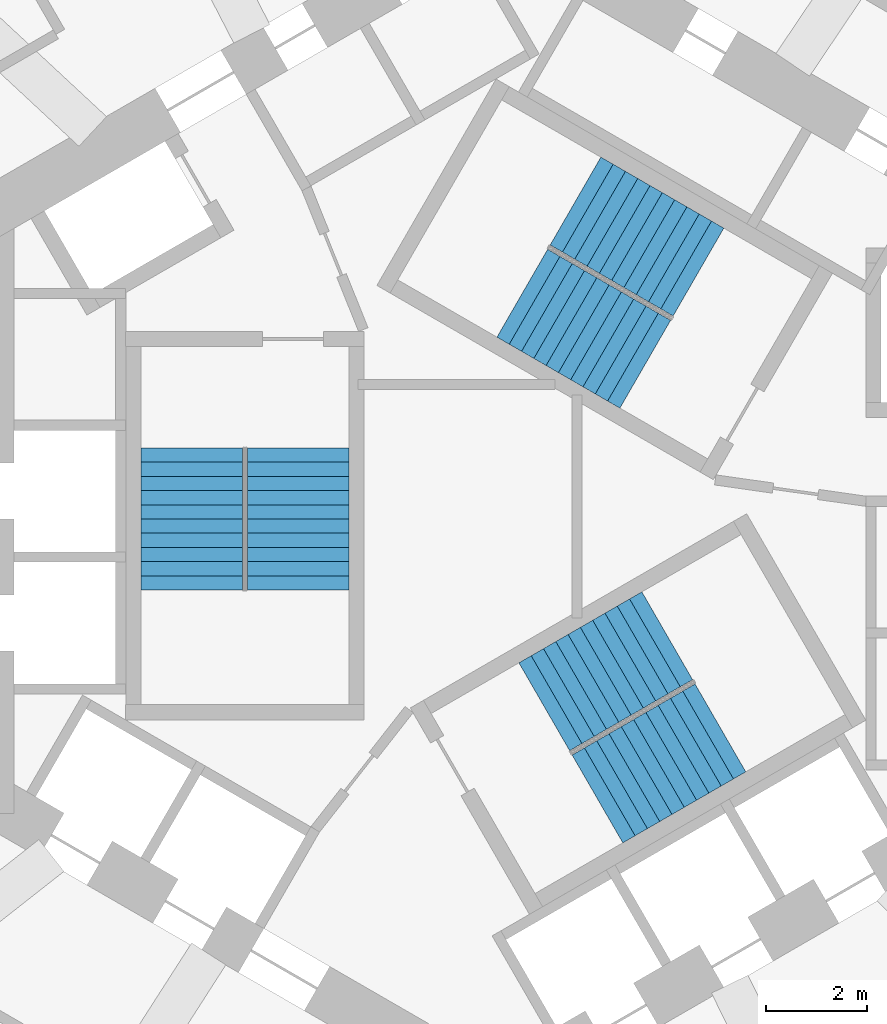
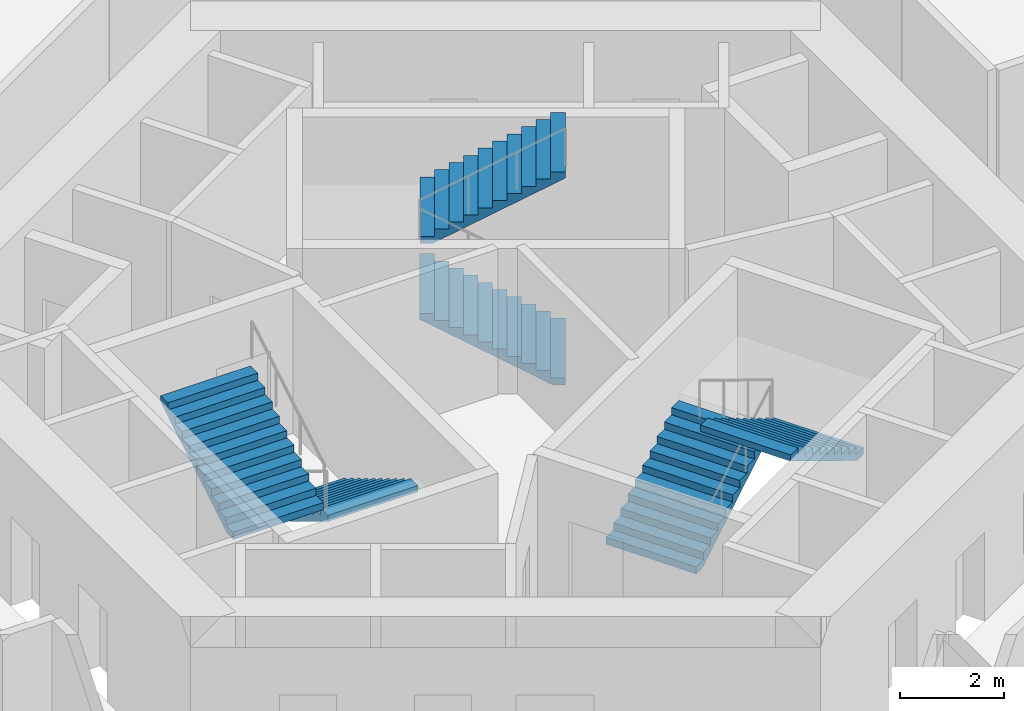
# One storey, part 8 of 10: 6 stair flights, 3 elements without a shape of their own.
"""IFC4 building model written with IfcOpenShell, lengths in metres."""

from ifc_helpers import new_model, si_unit, direction, frame, origin, place, context, subcontext, project, spatial, triangles, source, transform, mapped, material, type_object, element, aggregate, save


model = new_model("IFC4")

# Units and contexts
model_context = context("Model", 3, precision=1e-05, world=origin(), true_north=direction((0.0, 1.0)))
body_context = subcontext(model_context, "Body", "Model", "MODEL_VIEW")
ifc_project = project(units=[si_unit("LENGTHUNIT", "METRE"), si_unit("AREAUNIT", "SQUARE_METRE"), si_unit("VOLUMEUNIT", "CUBIC_METRE"), si_unit("PLANEANGLEUNIT", "RADIAN"), si_unit("MASSUNIT", "GRAM", prefix="KILO")], contexts=[model_context])

# Site, building, storey
site_placement = place(None, origin())
site = spatial("IfcSite", under=ifc_project, at=site_placement, CompositionType="ELEMENT")
building_placement = place(site_placement, origin())
building = spatial("IfcBuilding", under=site, at=building_placement, Name="Vanh Sen Convention Tower", CompositionType="ELEMENT")
storey_placement = place(building_placement, frame((0.0, 0.0, 194.699951171875)))
storey = spatial("IfcBuildingStorey", under=building, at=storey_placement, Name="L48", CompositionType="ELEMENT", Elevation=194.699951171875)

# Stair, stair flights
ifc_material_1 = material(Name="Concrete C50/60", Category="concrete")
stair_type_1 = type_object("IfcStairType", Name="Exit stair ST1 22 risers at 168.2", PredefinedType="HALF_TURN_STAIR", material=ifc_material_1)
stair_1_placement = place(storey_placement, origin())
stair_1 = element("IfcStair", 1, at=stair_1_placement, inside=storey, type_object=stair_type_1, Name="Exit stair ST1 L48", PredefinedType="HALF_TURN_STAIR")
ifc_material_2 = material(Name="Concrete C40/50", Category="concrete")
stair_flight_type = type_object("IfcStairFlightType", Name="Stair flight 2000", PredefinedType="STRAIGHT", material=ifc_material_2)
shared_shape = source(origin(), body_context, "Body", "Tessellation", [
    triangles([(0.24267578125, 1.0, 0.0), (0.0, 1.0, 0.0), (0.0, 1.0, 0.168212890625), (0.280029296875, 1.0, 0.168212890625), (0.280029296875, 1.0, 0.33642578125), (0.56005859375, 1.0, 0.33642578125), (0.56005859375, 1.0, 0.504638671875), (0.840087890625, 1.0, 0.504638671875), (0.840087890625, 1.0, 0.672607421875), (1.1201171875, 1.0, 0.672607421875), (1.1201171875, 1.0, 0.8408203125), (1.39990234375, 1.0, 0.8408203125), (1.39990234375, 1.0, 1.009033203125), (1.679931640625, 1.0, 1.009033203125), (1.679931640625, 1.0, 1.17724609375), (1.9599609375, 1.0, 1.17724609375), (1.9599609375, 1.0, 1.345458984375), (2.239990234375, 1.0, 1.345458984375), (2.239990234375, 1.0, 1.513671875), (2.52001953125, 1.0, 1.513671875), (2.52001953125, 1.0, 1.681884765625), (2.800048828125, 1.0, 1.681884765625), (2.800048828125, 1.0, 1.535888671875), (0.24267578125, -1.0, 0.0), (0.0, -1.0, 0.0), (0.0, -1.0, 0.168212890625), (0.280029296875, -1.0, 0.168212890625), (0.280029296875, -1.0, 0.33642578125), (0.56005859375, -1.0, 0.33642578125), (0.56005859375, -1.0, 0.504638671875), (0.840087890625, -1.0, 0.504638671875), (0.840087890625, -1.0, 0.672607421875), (1.1201171875, -1.0, 0.672607421875), (1.1201171875, -1.0, 0.8408203125), (1.39990234375, -1.0, 0.8408203125), (1.39990234375, -1.0, 1.009033203125), (1.679931640625, -1.0, 1.009033203125), (1.679931640625, -1.0, 1.17724609375), (1.9599609375, -1.0, 1.17724609375), (1.9599609375, -1.0, 1.345458984375), (2.239990234375, -1.0, 1.345458984375), (2.239990234375, -1.0, 1.513671875), (2.52001953125, -1.0, 1.513671875), (2.52001953125, -1.0, 1.681884765625), (2.800048828125, -1.0, 1.681884765625), (2.800048828125, -1.0, 1.535888671875), (0.0, 0.0400390625, 0.0), (0.0, 0.0390625, 0.0), (0.0, 0.0380859375, 0.0), (0.0, 0.037109375, 0.0), (0.0, 0.035888671875, 0.0), (0.0, 0.034912109375, 0.0), (0.0, 0.033935546875, 0.0), (0.0, 0.032958984375, 0.0), (0.0, 0.031982421875, 0.0), (0.0, 0.031005859375, 0.0), (0.0, 0.030029296875, 0.0), (0.0, 0.029052734375, 0.0), (0.0, 0.028076171875, 0.0), (0.0, 0.027099609375, 0.0), (0.0, 0.02587890625, 0.0), (0.0, 0.02490234375, 0.0), (0.0, 0.02392578125, 0.0), (0.0, 0.02294921875, 0.0), (0.0, 0.02197265625, 0.0), (0.0, 0.02099609375, 0.0), (0.0, 0.02001953125, 0.0), (0.0, 0.01904296875, 0.0), (0.0, 0.01806640625, 0.0), (0.0, 0.01708984375, 0.0), (0.0, 0.01611328125, 0.0), (0.0, 0.014892578125, 0.0), (0.0, 0.013916015625, 0.0), (0.0, 0.012939453125, 0.0), (0.0, 0.011962890625, 0.0), (0.0, 0.010986328125, 0.0), (0.0, 0.010009765625, 0.0), (0.0, 0.009033203125, 0.0), (0.0, 0.008056640625, 0.0), (0.0, 0.007080078125, 0.0), (0.0, 0.006103515625, 0.0), (0.0, 0.0048828125, 0.0), (0.0, 0.00390625, 0.0), (0.0, 0.0029296875, 0.0), (0.0, 0.001953125, 0.0), (0.0, 0.0009765625, 0.0), (0.0, 0.0, 0.0), (0.0, -0.0009765625, 0.0), (0.0, -0.001953125, 0.0), (0.0, -0.0029296875, 0.0), (0.0, -0.00390625, 0.0), (0.0, -0.0048828125, 0.0), (0.0, -0.006103515625, 0.0), (0.0, -0.007080078125, 0.0), (0.0, -0.008056640625, 0.0), (0.0, -0.009033203125, 0.0), (0.0, -0.010009765625, 0.0), (0.0, -0.010986328125, 0.0), (0.0, -0.011962890625, 0.0), (0.0, -0.012939453125, 0.0), (0.0, -0.013916015625, 0.0), (0.0, -0.014892578125, 0.0), (0.0, -0.01611328125, 0.0), (0.0, -0.01708984375, 0.0), (0.0, -0.01806640625, 0.0), (0.0, -0.01904296875, 0.0), (0.0, -0.02001953125, 0.0), (0.0, -0.02099609375, 0.0), (0.0, -0.02197265625, 0.0), (0.0, -0.02294921875, 0.0), (0.0, -0.02392578125, 0.0), (0.0, -0.02490234375, 0.0), (0.0, -0.02587890625, 0.0), (0.0, -0.027099609375, 0.0), (0.0, -0.028076171875, 0.0), (0.0, -0.029052734375, 0.0), (0.0, -0.030029296875, 0.0), (0.0, -0.031005859375, 0.0), (0.0, -0.031982421875, 0.0), (0.0, -0.032958984375, 0.0), (0.0, -0.033935546875, 0.0), (0.0, -0.034912109375, 0.0), (0.0, -0.035888671875, 0.0), (0.0, -0.037109375, 0.0), (0.0, -0.0380859375, 0.0), (0.0, -0.0390625, 0.0), (0.0, -0.0400390625, 0.0), (0.0, 0.0400390625, 0.168212890625), (0.0, 0.0390625, 0.168212890625), (0.0, 0.0380859375, 0.168212890625), (0.0, 0.037109375, 0.168212890625), (0.0, 0.035888671875, 0.168212890625), (0.0, 0.034912109375, 0.168212890625), (0.0, 0.033935546875, 0.168212890625), (0.0, 0.032958984375, 0.168212890625), (0.0, 0.031982421875, 0.168212890625), (0.0, 0.031005859375, 0.168212890625), (0.0, 0.030029296875, 0.168212890625), (0.0, 0.029052734375, 0.168212890625), (0.0, 0.028076171875, 0.168212890625), (0.0, 0.027099609375, 0.168212890625), (0.0, 0.02587890625, 0.168212890625), (0.0, 0.02490234375, 0.168212890625), (0.0, 0.02392578125, 0.168212890625), (0.0, 0.02294921875, 0.168212890625), (0.0, 0.02197265625, 0.168212890625), (0.0, 0.02099609375, 0.168212890625), (0.0, 0.02001953125, 0.168212890625), (0.0, 0.01904296875, 0.168212890625), (0.0, 0.01806640625, 0.168212890625), (0.0, 0.01708984375, 0.168212890625), (0.0, 0.01611328125, 0.168212890625), (0.0, 0.014892578125, 0.168212890625), (0.0, 0.013916015625, 0.168212890625), (0.0, 0.012939453125, 0.168212890625), (0.0, 0.011962890625, 0.168212890625), (0.0, 0.010986328125, 0.168212890625), (0.0, 0.010009765625, 0.168212890625), (0.0, 0.009033203125, 0.168212890625), (0.0, 0.008056640625, 0.168212890625), (0.0, 0.007080078125, 0.168212890625), (0.0, 0.006103515625, 0.168212890625), (0.0, 0.0048828125, 0.168212890625), (0.0, 0.00390625, 0.168212890625), (0.0, 0.0029296875, 0.168212890625), (0.0, 0.001953125, 0.168212890625), (0.0, 0.0009765625, 0.168212890625), (0.0, 0.0, 0.168212890625), (0.0, -0.0009765625, 0.168212890625), (0.0, -0.001953125, 0.168212890625), (0.0, -0.0029296875, 0.168212890625), (0.0, -0.00390625, 0.168212890625), (0.0, -0.0048828125, 0.168212890625), (0.0, -0.006103515625, 0.168212890625), (0.0, -0.007080078125, 0.168212890625), (0.0, -0.008056640625, 0.168212890625), (0.0, -0.009033203125, 0.168212890625), (0.0, -0.010009765625, 0.168212890625), (0.0, -0.010986328125, 0.168212890625), (0.0, -0.011962890625, 0.168212890625), (0.0, -0.012939453125, 0.168212890625), (0.0, -0.013916015625, 0.168212890625), (0.0, -0.014892578125, 0.168212890625), (0.0, -0.01611328125, 0.168212890625), (0.0, -0.01708984375, 0.168212890625), (0.0, -0.01806640625, 0.168212890625), (0.0, -0.01904296875, 0.168212890625), (0.0, -0.02001953125, 0.168212890625), (0.0, -0.02099609375, 0.168212890625), (0.0, -0.02197265625, 0.168212890625), (0.0, -0.02294921875, 0.168212890625), (0.0, -0.02392578125, 0.168212890625), (0.0, -0.02490234375, 0.168212890625), (0.0, -0.02587890625, 0.168212890625), (0.0, -0.027099609375, 0.168212890625), (0.0, -0.028076171875, 0.168212890625), (0.0, -0.029052734375, 0.168212890625), (0.0, -0.030029296875, 0.168212890625), (0.0, -0.031005859375, 0.168212890625), (0.0, -0.031982421875, 0.168212890625), (0.0, -0.032958984375, 0.168212890625), (0.0, -0.033935546875, 0.168212890625), (0.0, -0.034912109375, 0.168212890625), (0.0, -0.035888671875, 0.168212890625), (0.0, -0.037109375, 0.168212890625), (0.0, -0.0380859375, 0.168212890625), (0.0, -0.0390625, 0.168212890625), (0.0, -0.0400390625, 0.168212890625), (0.280029296875, 0.0, 0.168212890625), (0.280029296875, 0.0, 0.33642578125), (0.56005859375, 0.0, 0.33642578125), (0.56005859375, 0.0, 0.504638671875), (0.840087890625, 0.0, 0.504638671875), (0.840087890625, 0.0, 0.672607421875), (1.1201171875, 0.0, 0.672607421875), (1.1201171875, 0.0, 0.8408203125), (1.39990234375, 0.0, 0.8408203125), (1.39990234375, 0.0, 1.009033203125), (1.679931640625, 0.0, 1.009033203125), (1.679931640625, 0.0, 1.17724609375), (1.9599609375, 0.0, 1.17724609375), (1.9599609375, 0.0, 1.345458984375), (2.239990234375, 0.0, 1.345458984375), (2.239990234375, 0.0, 1.513671875), (2.52001953125, 0.0, 1.513671875), (2.52001953125, 0.0, 1.681884765625), (2.800048828125, 0.0400390625, 1.681884765625), (2.800048828125, 0.0390625, 1.681884765625), (2.800048828125, 0.0380859375, 1.681884765625), (2.800048828125, 0.037109375, 1.681884765625), (2.800048828125, 0.035888671875, 1.681884765625), (2.800048828125, 0.034912109375, 1.681884765625), (2.800048828125, 0.033935546875, 1.681884765625), (2.800048828125, 0.032958984375, 1.681884765625), (2.800048828125, 0.031982421875, 1.681884765625), (2.800048828125, 0.031005859375, 1.681884765625), (2.800048828125, 0.030029296875, 1.681884765625), (2.800048828125, 0.029052734375, 1.681884765625), (2.800048828125, 0.028076171875, 1.681884765625), (2.800048828125, 0.027099609375, 1.681884765625), (2.800048828125, 0.02587890625, 1.681884765625), (2.800048828125, 0.02490234375, 1.681884765625), (2.800048828125, 0.02392578125, 1.681884765625), (2.800048828125, 0.02294921875, 1.681884765625), (2.800048828125, 0.02197265625, 1.681884765625), (2.800048828125, 0.02099609375, 1.681884765625), (2.800048828125, 0.02001953125, 1.681884765625), (2.800048828125, 0.01904296875, 1.681884765625), (2.800048828125, 0.01806640625, 1.681884765625), (2.800048828125, 0.01708984375, 1.681884765625), (2.800048828125, 0.01611328125, 1.681884765625), (2.800048828125, 0.014892578125, 1.681884765625), (2.800048828125, 0.013916015625, 1.681884765625), (2.800048828125, 0.012939453125, 1.681884765625), (2.800048828125, 0.011962890625, 1.681884765625), (2.800048828125, 0.010986328125, 1.681884765625), (2.800048828125, 0.010009765625, 1.681884765625), (2.800048828125, 0.009033203125, 1.681884765625), (2.800048828125, 0.008056640625, 1.681884765625), (2.800048828125, 0.007080078125, 1.681884765625), (2.800048828125, 0.006103515625, 1.681884765625), (2.800048828125, 0.0048828125, 1.681884765625), (2.800048828125, 0.00390625, 1.681884765625), (2.800048828125, 0.0029296875, 1.681884765625), (2.800048828125, 0.001953125, 1.681884765625), (2.800048828125, 0.0009765625, 1.681884765625), (2.800048828125, 0.0, 1.681884765625), (2.800048828125, -0.0009765625, 1.681884765625), (2.800048828125, -0.001953125, 1.681884765625), (2.800048828125, -0.0029296875, 1.681884765625), (2.800048828125, -0.00390625, 1.681884765625), (2.800048828125, -0.0048828125, 1.681884765625), (2.800048828125, -0.006103515625, 1.681884765625), (2.800048828125, -0.007080078125, 1.681884765625), (2.800048828125, -0.008056640625, 1.681884765625), (2.800048828125, -0.009033203125, 1.681884765625), (2.800048828125, -0.010009765625, 1.681884765625), (2.800048828125, -0.010986328125, 1.681884765625), (2.800048828125, -0.011962890625, 1.681884765625), (2.800048828125, -0.012939453125, 1.681884765625), (2.800048828125, -0.013916015625, 1.681884765625), (2.800048828125, -0.014892578125, 1.681884765625), (2.800048828125, -0.01611328125, 1.681884765625), (2.800048828125, -0.01708984375, 1.681884765625), (2.800048828125, -0.01806640625, 1.681884765625), (2.800048828125, -0.01904296875, 1.681884765625), (2.800048828125, -0.02001953125, 1.681884765625), (2.800048828125, -0.02099609375, 1.681884765625), (2.800048828125, -0.02197265625, 1.681884765625), (2.800048828125, -0.02294921875, 1.681884765625), (2.800048828125, -0.02392578125, 1.681884765625), (2.800048828125, -0.02490234375, 1.681884765625), (2.800048828125, -0.02587890625, 1.681884765625), (2.800048828125, -0.027099609375, 1.681884765625), (2.800048828125, -0.028076171875, 1.681884765625), (2.800048828125, -0.029052734375, 1.681884765625), (2.800048828125, -0.030029296875, 1.681884765625), (2.800048828125, -0.031005859375, 1.681884765625), (2.800048828125, -0.031982421875, 1.681884765625), (2.800048828125, -0.032958984375, 1.681884765625), (2.800048828125, -0.033935546875, 1.681884765625), (2.800048828125, -0.034912109375, 1.681884765625), (2.800048828125, -0.035888671875, 1.681884765625), (2.800048828125, -0.037109375, 1.681884765625), (2.800048828125, -0.0380859375, 1.681884765625), (2.800048828125, -0.0390625, 1.681884765625), (2.800048828125, -0.0400390625, 1.681884765625), (2.800048828125, 0.0400390625, 1.535888671875), (2.800048828125, 0.0390625, 1.535888671875), (2.800048828125, 0.0380859375, 1.535888671875), (2.800048828125, 0.037109375, 1.535888671875), (2.800048828125, 0.035888671875, 1.535888671875), (2.800048828125, 0.034912109375, 1.535888671875), (2.800048828125, 0.033935546875, 1.535888671875), (2.800048828125, 0.032958984375, 1.535888671875), (2.800048828125, 0.031982421875, 1.535888671875), (2.800048828125, 0.031005859375, 1.535888671875), (2.800048828125, 0.030029296875, 1.535888671875), (2.800048828125, 0.029052734375, 1.535888671875), (2.800048828125, 0.028076171875, 1.535888671875), (2.800048828125, 0.027099609375, 1.535888671875), (2.800048828125, 0.02587890625, 1.535888671875), (2.800048828125, 0.02490234375, 1.535888671875), (2.800048828125, 0.02392578125, 1.535888671875), (2.800048828125, 0.02294921875, 1.535888671875), (2.800048828125, 0.02197265625, 1.535888671875), (2.800048828125, 0.02099609375, 1.535888671875), (2.800048828125, 0.02001953125, 1.535888671875), (2.800048828125, 0.01904296875, 1.535888671875), (2.800048828125, 0.01806640625, 1.535888671875), (2.800048828125, 0.01708984375, 1.535888671875), (2.800048828125, 0.01611328125, 1.535888671875), (2.800048828125, 0.014892578125, 1.535888671875), (2.800048828125, 0.013916015625, 1.535888671875), (2.800048828125, 0.012939453125, 1.535888671875), (2.800048828125, 0.011962890625, 1.535888671875), (2.800048828125, 0.010986328125, 1.535888671875), (2.800048828125, 0.010009765625, 1.535888671875), (2.800048828125, 0.009033203125, 1.535888671875), (2.800048828125, 0.008056640625, 1.535888671875), (2.800048828125, 0.007080078125, 1.535888671875), (2.800048828125, 0.006103515625, 1.535888671875), (2.800048828125, 0.0048828125, 1.535888671875), (2.800048828125, 0.00390625, 1.535888671875), (2.800048828125, 0.0029296875, 1.535888671875), (2.800048828125, 0.001953125, 1.535888671875), (2.800048828125, 0.0009765625, 1.535888671875), (2.800048828125, 0.0, 1.535888671875), (2.800048828125, -0.0009765625, 1.535888671875), (2.800048828125, -0.001953125, 1.535888671875), (2.800048828125, -0.0029296875, 1.535888671875), (2.800048828125, -0.00390625, 1.535888671875), (2.800048828125, -0.0048828125, 1.535888671875), (2.800048828125, -0.006103515625, 1.535888671875), (2.800048828125, -0.007080078125, 1.535888671875), (2.800048828125, -0.008056640625, 1.535888671875), (2.800048828125, -0.009033203125, 1.535888671875), (2.800048828125, -0.010009765625, 1.535888671875), (2.800048828125, -0.010986328125, 1.535888671875), (2.800048828125, -0.011962890625, 1.535888671875), (2.800048828125, -0.012939453125, 1.535888671875), (2.800048828125, -0.013916015625, 1.535888671875), (2.800048828125, -0.014892578125, 1.535888671875), (2.800048828125, -0.01611328125, 1.535888671875), (2.800048828125, -0.01708984375, 1.535888671875), (2.800048828125, -0.01806640625, 1.535888671875), (2.800048828125, -0.01904296875, 1.535888671875), (2.800048828125, -0.02001953125, 1.535888671875), (2.800048828125, -0.02099609375, 1.535888671875), (2.800048828125, -0.02197265625, 1.535888671875), (2.800048828125, -0.02294921875, 1.535888671875), (2.800048828125, -0.02392578125, 1.535888671875), (2.800048828125, -0.02490234375, 1.535888671875), (2.800048828125, -0.02587890625, 1.535888671875), (2.800048828125, -0.027099609375, 1.535888671875), (2.800048828125, -0.028076171875, 1.535888671875), (2.800048828125, -0.029052734375, 1.535888671875), (2.800048828125, -0.030029296875, 1.535888671875), (2.800048828125, -0.031005859375, 1.535888671875), (2.800048828125, -0.031982421875, 1.535888671875), (2.800048828125, -0.032958984375, 1.535888671875), (2.800048828125, -0.033935546875, 1.535888671875), (2.800048828125, -0.034912109375, 1.535888671875), (2.800048828125, -0.035888671875, 1.535888671875), (2.800048828125, -0.037109375, 1.535888671875), (2.800048828125, -0.0380859375, 1.535888671875), (2.800048828125, -0.0390625, 1.535888671875), (2.800048828125, -0.0400390625, 1.535888671875), (0.24267578125, 0.0, 0.0)], [[1, 2, 3], [1, 3, 4], [4, 5, 6], [1, 4, 6], [6, 7, 8], [1, 6, 8], [8, 9, 10], [1, 8, 10], [10, 11, 12], [1, 10, 12], [12, 13, 14], [1, 12, 14], [14, 15, 16], [1, 14, 16], [16, 17, 18], [1, 16, 18], [18, 19, 20], [1, 18, 20], [20, 21, 22], [1, 20, 22], [22, 23, 1], [24, 26, 25], [24, 27, 26], [27, 29, 28], [24, 29, 27], [29, 31, 30], [24, 31, 29], [31, 33, 32], [24, 33, 31], [33, 35, 34], [24, 35, 33], [35, 37, 36], [24, 37, 35], [37, 39, 38], [24, 39, 37], [39, 41, 40], [24, 41, 39], [41, 43, 42], [24, 43, 41], [43, 45, 44], [24, 45, 43], [45, 24, 46], [2, 128, 3], [2, 47, 128], [47, 129, 128], [47, 48, 129], [48, 130, 129], [48, 49, 130], [49, 131, 130], [49, 50, 131], [50, 132, 131], [50, 51, 132], [51, 133, 132], [51, 52, 133], [52, 134, 133], [52, 53, 134], [53, 135, 134], [53, 54, 135], [54, 136, 135], [54, 55, 136], [55, 137, 136], [55, 56, 137], [56, 138, 137], [56, 57, 138], [57, 139, 138], [57, 58, 139], [58, 140, 139], [58, 59, 140], [59, 141, 140], [59, 60, 141], [60, 142, 141], [60, 61, 142], [61, 143, 142], [61, 62, 143], [62, 144, 143], [62, 63, 144], [63, 145, 144], [63, 64, 145], [64, 146, 145], [64, 65, 146], [65, 147, 146], [65, 66, 147], [66, 148, 147], [66, 67, 148], [67, 149, 148], [67, 68, 149], [68, 150, 149], [68, 69, 150], [69, 151, 150], [69, 70, 151], [70, 152, 151], [70, 71, 152], [71, 153, 152], [71, 72, 153], [72, 154, 153], [72, 73, 154], [73, 155, 154], [73, 74, 155], [74, 156, 155], [74, 75, 156], [75, 157, 156], [75, 76, 157], [76, 158, 157], [76, 77, 158], [77, 159, 158], [77, 78, 159], [78, 160, 159], [78, 79, 160], [79, 161, 160], [79, 80, 161], [80, 162, 161], [80, 81, 162], [81, 163, 162], [81, 82, 163], [82, 164, 163], [82, 83, 164], [83, 165, 164], [83, 84, 165], [84, 166, 165], [84, 85, 166], [85, 167, 166], [85, 86, 167], [86, 168, 167], [86, 87, 168], [87, 88, 168], [168, 88, 169], [88, 89, 169], [169, 89, 170], [89, 90, 170], [170, 90, 171], [90, 91, 171], [171, 91, 172], [91, 92, 172], [172, 92, 173], [92, 93, 173], [173, 93, 174], [93, 94, 174], [174, 94, 175], [94, 95, 175], [175, 95, 176], [95, 96, 176], [176, 96, 177], [96, 97, 177], [177, 97, 178], [97, 98, 178], [178, 98, 179], [98, 99, 179], [179, 99, 180], [99, 100, 180], [180, 100, 181], [100, 101, 181], [181, 101, 182], [101, 102, 182], [182, 102, 183], [102, 103, 183], [183, 103, 184], [103, 104, 184], [184, 104, 185], [104, 105, 185], [185, 105, 186], [105, 106, 186], [186, 106, 187], [106, 107, 187], [187, 107, 188], [107, 108, 188], [188, 108, 189], [108, 109, 189], [189, 109, 190], [109, 110, 190], [190, 110, 191], [110, 111, 191], [191, 111, 192], [111, 112, 192], [192, 112, 193], [112, 113, 193], [193, 113, 194], [113, 114, 194], [194, 114, 195], [114, 115, 195], [195, 115, 196], [115, 116, 196], [196, 116, 197], [116, 117, 197], [197, 117, 198], [117, 118, 198], [198, 118, 199], [118, 119, 199], [199, 119, 200], [119, 120, 200], [200, 120, 201], [120, 121, 201], [201, 121, 202], [121, 122, 202], [202, 122, 203], [122, 123, 203], [203, 123, 204], [123, 124, 204], [204, 124, 205], [124, 125, 205], [205, 125, 206], [125, 126, 206], [206, 126, 207], [126, 127, 207], [207, 127, 208], [127, 25, 208], [208, 25, 26], [4, 3, 128], [4, 128, 129], [4, 129, 130], [4, 130, 131], [4, 131, 132], [4, 132, 133], [4, 133, 134], [4, 134, 135], [4, 135, 136], [4, 136, 137], [4, 137, 138], [4, 138, 139], [4, 139, 140], [4, 140, 141], [4, 141, 142], [4, 142, 143], [4, 143, 144], [4, 144, 145], [4, 145, 146], [4, 146, 147], [4, 147, 148], [4, 148, 149], [4, 149, 150], [4, 150, 151], [4, 151, 152], [4, 152, 153], [4, 153, 154], [4, 154, 155], [4, 155, 156], [4, 156, 157], [4, 157, 158], [4, 158, 159], [4, 159, 160], [4, 160, 161], [4, 161, 162], [4, 162, 163], [4, 163, 164], [4, 164, 165], [4, 165, 166], [4, 166, 167], [4, 167, 168], [27, 168, 169], [27, 169, 170], [27, 170, 171], [27, 171, 172], [27, 172, 173], [27, 173, 174], [27, 174, 175], [27, 175, 176], [27, 176, 177], [27, 177, 178], [27, 178, 179], [27, 179, 180], [27, 180, 181], [27, 181, 182], [27, 182, 183], [27, 183, 184], [27, 184, 185], [27, 185, 186], [27, 186, 187], [27, 187, 188], [27, 188, 189], [27, 189, 190], [27, 190, 191], [27, 191, 192], [27, 192, 193], [27, 193, 194], [27, 194, 195], [27, 195, 196], [27, 196, 197], [27, 197, 198], [27, 198, 199], [27, 199, 200], [27, 200, 201], [27, 201, 202], [27, 202, 203], [27, 203, 204], [27, 204, 205], [27, 205, 206], [27, 206, 207], [27, 207, 208], [27, 208, 26], [4, 168, 209], [27, 209, 168], [4, 210, 5], [4, 209, 210], [209, 27, 210], [210, 27, 28], [5, 211, 6], [5, 210, 211], [210, 28, 211], [211, 28, 29], [6, 212, 7], [6, 211, 212], [211, 29, 212], [212, 29, 30], [7, 213, 8], [7, 212, 213], [212, 30, 213], [213, 30, 31], [8, 214, 9], [8, 213, 214], [213, 31, 214], [214, 31, 32], [9, 215, 10], [9, 214, 215], [214, 32, 215], [215, 32, 33], [10, 216, 11], [10, 215, 216], [215, 33, 216], [216, 33, 34], [11, 217, 12], [11, 216, 217], [216, 34, 217], [217, 34, 35], [12, 218, 13], [12, 217, 218], [217, 35, 218], [218, 35, 36], [13, 219, 14], [13, 218, 219], [218, 36, 219], [219, 36, 37], [14, 220, 15], [14, 219, 220], [219, 37, 220], [220, 37, 38], [15, 221, 16], [15, 220, 221], [220, 38, 221], [221, 38, 39], [16, 222, 17], [16, 221, 222], [221, 39, 222], [222, 39, 40], [17, 223, 18], [17, 222, 223], [222, 40, 223], [223, 40, 41], [18, 224, 19], [18, 223, 224], [223, 41, 224], [224, 41, 42], [19, 225, 20], [19, 224, 225], [224, 42, 225], [225, 42, 43], [20, 226, 21], [20, 225, 226], [225, 43, 226], [226, 43, 44], [21, 227, 22], [21, 228, 227], [21, 229, 228], [21, 230, 229], [21, 231, 230], [21, 232, 231], [21, 233, 232], [21, 234, 233], [21, 235, 234], [21, 236, 235], [21, 237, 236], [21, 238, 237], [21, 239, 238], [21, 240, 239], [21, 241, 240], [21, 242, 241], [21, 243, 242], [21, 244, 243], [21, 245, 244], [21, 246, 245], [21, 247, 246], [21, 248, 247], [21, 249, 248], [21, 250, 249], [21, 251, 250], [21, 252, 251], [21, 253, 252], [21, 254, 253], [21, 255, 254], [21, 256, 255], [21, 257, 256], [21, 258, 257], [21, 259, 258], [21, 260, 259], [21, 261, 260], [21, 262, 261], [21, 263, 262], [21, 264, 263], [21, 265, 264], [21, 266, 265], [21, 267, 266], [44, 268, 267], [44, 269, 268], [44, 270, 269], [44, 271, 270], [44, 272, 271], [44, 273, 272], [44, 274, 273], [44, 275, 274], [44, 276, 275], [44, 277, 276], [44, 278, 277], [44, 279, 278], [44, 280, 279], [44, 281, 280], [44, 282, 281], [44, 283, 282], [44, 284, 283], [44, 285, 284], [44, 286, 285], [44, 287, 286], [44, 288, 287], [44, 289, 288], [44, 290, 289], [44, 291, 290], [44, 292, 291], [44, 293, 292], [44, 294, 293], [44, 295, 294], [44, 296, 295], [44, 297, 296], [44, 298, 297], [44, 299, 298], [44, 300, 299], [44, 301, 300], [44, 302, 301], [44, 303, 302], [44, 304, 303], [44, 305, 304], [44, 306, 305], [44, 307, 306], [44, 45, 307], [21, 226, 267], [44, 267, 226], [22, 308, 23], [22, 227, 308], [227, 309, 308], [227, 228, 309], [228, 310, 309], [228, 229, 310], [229, 311, 310], [229, 230, 311], [230, 312, 311], [230, 231, 312], [231, 313, 312], [231, 232, 313], [232, 314, 313], [232, 233, 314], [233, 315, 314], [233, 234, 315], [234, 316, 315], [234, 235, 316], [235, 317, 316], [235, 236, 317], [236, 318, 317], [236, 237, 318], [237, 319, 318], [237, 238, 319], [238, 320, 319], [238, 239, 320], [239, 321, 320], [239, 240, 321], [240, 322, 321], [240, 241, 322], [241, 323, 322], [241, 242, 323], [242, 324, 323], [242, 243, 324], [243, 325, 324], [243, 244, 325], [244, 326, 325], [244, 245, 326], [245, 327, 326], [245, 246, 327], [246, 328, 327], [246, 247, 328], [247, 329, 328], [247, 248, 329], [248, 330, 329], [248, 249, 330], [249, 331, 330], [249, 250, 331], [250, 332, 331], [250, 251, 332], [251, 333, 332], [251, 252, 333], [252, 334, 333], [252, 253, 334], [253, 335, 334], [253, 254, 335], [254, 336, 335], [254, 255, 336], [255, 337, 336], [255, 256, 337], [256, 338, 337], [256, 257, 338], [257, 339, 338], [257, 258, 339], [258, 340, 339], [258, 259, 340], [259, 341, 340], [259, 260, 341], [260, 342, 341], [260, 261, 342], [261, 343, 342], [261, 262, 343], [262, 344, 343], [262, 263, 344], [263, 345, 344], [263, 264, 345], [264, 346, 345], [264, 265, 346], [265, 347, 346], [265, 266, 347], [266, 348, 347], [266, 267, 348], [267, 268, 348], [348, 268, 349], [268, 269, 349], [349, 269, 350], [269, 270, 350], [350, 270, 351], [270, 271, 351], [351, 271, 352], [271, 272, 352], [352, 272, 353], [272, 273, 353], [353, 273, 354], [273, 274, 354], [354, 274, 355], [274, 275, 355], [355, 275, 356], [275, 276, 356], [356, 276, 357], [276, 277, 357], [357, 277, 358], [277, 278, 358], [358, 278, 359], [278, 279, 359], [359, 279, 360], [279, 280, 360], [360, 280, 361], [280, 281, 361], [361, 281, 362], [281, 282, 362], [362, 282, 363], [282, 283, 363], [363, 283, 364], [283, 284, 364], [364, 284, 365], [284, 285, 365], [365, 285, 366], [285, 286, 366], [366, 286, 367], [286, 287, 367], [367, 287, 368], [287, 288, 368], [368, 288, 369], [288, 289, 369], [369, 289, 370], [289, 290, 370], [370, 290, 371], [290, 291, 371], [371, 291, 372], [291, 292, 372], [372, 292, 373], [292, 293, 373], [373, 293, 374], [293, 294, 374], [374, 294, 375], [294, 295, 375], [375, 295, 376], [295, 296, 376], [376, 296, 377], [296, 297, 377], [377, 297, 378], [297, 298, 378], [378, 298, 379], [298, 299, 379], [379, 299, 380], [299, 300, 380], [380, 300, 381], [300, 301, 381], [381, 301, 382], [301, 302, 382], [382, 302, 383], [302, 303, 383], [383, 303, 384], [303, 304, 384], [384, 304, 385], [304, 305, 385], [385, 305, 386], [305, 306, 386], [386, 306, 387], [306, 307, 387], [387, 307, 388], [307, 45, 388], [388, 45, 46], [1, 23, 308], [1, 308, 309], [1, 309, 310], [1, 310, 311], [1, 311, 312], [1, 312, 313], [1, 313, 314], [1, 314, 315], [1, 315, 316], [1, 316, 317], [1, 317, 318], [1, 318, 319], [1, 319, 320], [1, 320, 321], [1, 321, 322], [1, 322, 323], [1, 323, 324], [1, 324, 325], [1, 325, 326], [1, 326, 327], [1, 327, 328], [1, 328, 329], [1, 329, 330], [1, 330, 331], [1, 331, 332], [1, 332, 333], [1, 333, 334], [1, 334, 335], [1, 335, 336], [1, 336, 337], [1, 337, 338], [1, 338, 339], [1, 339, 340], [1, 340, 341], [1, 341, 342], [1, 342, 343], [1, 343, 344], [1, 344, 345], [1, 345, 346], [1, 346, 347], [1, 347, 348], [24, 348, 349], [24, 349, 350], [24, 350, 351], [24, 351, 352], [24, 352, 353], [24, 353, 354], [24, 354, 355], [24, 355, 356], [24, 356, 357], [24, 357, 358], [24, 358, 359], [24, 359, 360], [24, 360, 361], [24, 361, 362], [24, 362, 363], [24, 363, 364], [24, 364, 365], [24, 365, 366], [24, 366, 367], [24, 367, 368], [24, 368, 369], [24, 369, 370], [24, 370, 371], [24, 371, 372], [24, 372, 373], [24, 373, 374], [24, 374, 375], [24, 375, 376], [24, 376, 377], [24, 377, 378], [24, 378, 379], [24, 379, 380], [24, 380, 381], [24, 381, 382], [24, 382, 383], [24, 383, 384], [24, 384, 385], [24, 385, 386], [24, 386, 387], [24, 387, 388], [24, 388, 46], [1, 348, 389], [24, 389, 348], [1, 47, 2], [1, 48, 47], [1, 49, 48], [1, 50, 49], [1, 51, 50], [1, 52, 51], [1, 53, 52], [1, 54, 53], [1, 55, 54], [1, 56, 55], [1, 57, 56], [1, 58, 57], [1, 59, 58], [1, 60, 59], [1, 61, 60], [1, 62, 61], [1, 63, 62], [1, 64, 63], [1, 65, 64], [1, 66, 65], [1, 67, 66], [1, 68, 67], [1, 69, 68], [1, 70, 69], [1, 71, 70], [1, 72, 71], [1, 73, 72], [1, 74, 73], [1, 75, 74], [1, 76, 75], [1, 77, 76], [1, 78, 77], [1, 79, 78], [1, 80, 79], [1, 81, 80], [1, 82, 81], [1, 83, 82], [1, 84, 83], [1, 85, 84], [1, 86, 85], [1, 87, 86], [24, 88, 87], [24, 89, 88], [24, 90, 89], [24, 91, 90], [24, 92, 91], [24, 93, 92], [24, 94, 93], [24, 95, 94], [24, 96, 95], [24, 97, 96], [24, 98, 97], [24, 99, 98], [24, 100, 99], [24, 101, 100], [24, 102, 101], [24, 103, 102], [24, 104, 103], [24, 105, 104], [24, 106, 105], [24, 107, 106], [24, 108, 107], [24, 109, 108], [24, 110, 109], [24, 111, 110], [24, 112, 111], [24, 113, 112], [24, 114, 113], [24, 115, 114], [24, 116, 115], [24, 117, 116], [24, 118, 117], [24, 119, 118], [24, 120, 119], [24, 121, 120], [24, 122, 121], [24, 123, 122], [24, 124, 123], [24, 125, 124], [24, 126, 125], [24, 127, 126], [24, 25, 127], [1, 389, 87], [24, 87, 389]], closed=True),
])
stair_flight_1_placement = place(storey_placement, frame((2.94580078125, 2.802490234375, 0.0), z_axis=(0.0, 0.0, 1.0), x_axis=(-0.866025403784, 0.5, 0.0)))
stair_flight_1 = element("IfcStairFlight", 2, at=stair_flight_1_placement, type_object=stair_flight_type, Name="ST1 flight 1", NumberOfRisers=11, NumberOfTreads=10, PredefinedType="STRAIGHT", RiserHeight=0.168181818, TreadLength=0.28, context=body_context, shape_type="MappedRepresentation", body=[
    mapped(shared_shape, transform((0.0, 0.0, 0.0))),
])
stair_flight_2_placement = place(storey_placement, frame((1.571044921875, 6.021240234375, 1.85009765625), z_axis=(0.0, 0.0, 1.0), x_axis=(0.866025403784, -0.5, 0.0)))
stair_flight_2 = element("IfcStairFlight", 3, at=stair_flight_2_placement, type_object=stair_flight_type, Name="ST1 flight 2", NumberOfRisers=11, NumberOfTreads=10, PredefinedType="STRAIGHT", RiserHeight=0.168181818, TreadLength=0.28, context=body_context, shape_type="MappedRepresentation", body=[
    mapped(shared_shape, transform((0.0, 0.0, 0.0))),
])
aggregate(stair_1, [stair_flight_1, stair_flight_2])

stair_type_2 = type_object("IfcStairType", Name="Exit stair ST2 22 risers at 168.2", PredefinedType="HALF_TURN_STAIR", material=ifc_material_1)
stair_2_placement = place(storey_placement, origin())
stair_2 = element("IfcStair", 4, at=stair_2_placement, inside=storey, type_object=stair_type_2, Name="Exit stair ST2 L48", PredefinedType="HALF_TURN_STAIR")
stair_flight_3_placement = place(storey_placement, frame((-3.89990234375, 1.14990234375, 0.0), z_axis=(0.0, 0.0, 1.0), x_axis=(0.0, -1.0, 0.0)))
stair_flight_3 = element("IfcStairFlight", 5, at=stair_flight_3_placement, type_object=stair_flight_type, Name="ST2 flight 1", NumberOfRisers=11, NumberOfTreads=10, PredefinedType="STRAIGHT", RiserHeight=0.168181818, TreadLength=0.28, context=body_context, shape_type="MappedRepresentation", body=[
    mapped(shared_shape, transform((0.0, 0.0, 0.0))),
])
stair_flight_4_placement = place(storey_placement, frame((-6.0, -1.64990234375, 1.85009765625), z_axis=(0.0, 0.0, 1.0), x_axis=(0.0, 1.0, 0.0)))
stair_flight_4 = element("IfcStairFlight", 6, at=stair_flight_4_placement, type_object=stair_flight_type, Name="ST2 flight 2", NumberOfRisers=11, NumberOfTreads=10, PredefinedType="STRAIGHT", RiserHeight=0.168181818, TreadLength=0.28, context=body_context, shape_type="MappedRepresentation", body=[
    mapped(shared_shape, transform((0.0, 0.0, 0.0))),
])
aggregate(stair_2, [stair_flight_3, stair_flight_4])

stair_type_3 = type_object("IfcStairType", Name="Exit stair ST3 22 risers at 168.2", PredefinedType="HALF_TURN_STAIR", material=ifc_material_1)
stair_3_placement = place(storey_placement, origin())
stair_3 = element("IfcStair", 7, at=stair_3_placement, inside=storey, type_object=stair_type_3, Name="Exit stair ST3 L48", PredefinedType="HALF_TURN_STAIR")
stair_flight_5_placement = place(storey_placement, frame((0.9541015625, -3.952392578125, 0.0), z_axis=(0.0, 0.0, 1.0), x_axis=(0.866025403784, 0.5, 0.0)))
stair_flight_5 = element("IfcStairFlight", 8, at=stair_flight_5_placement, type_object=stair_flight_type, Name="ST3 flight 1", NumberOfRisers=11, NumberOfTreads=10, PredefinedType="STRAIGHT", RiserHeight=0.168181818, TreadLength=0.28, context=body_context, shape_type="MappedRepresentation", body=[
    mapped(shared_shape, transform((0.0, 0.0, 0.0))),
])
stair_flight_6_placement = place(storey_placement, frame((4.428955078125, -4.37109375, 1.85009765625), z_axis=(0.0, 0.0, 1.0), x_axis=(-0.866025403784, -0.5, 0.0)))
stair_flight_6 = element("IfcStairFlight", 9, at=stair_flight_6_placement, type_object=stair_flight_type, Name="ST3 flight 2", NumberOfRisers=11, NumberOfTreads=10, PredefinedType="STRAIGHT", RiserHeight=0.168181818, TreadLength=0.28, context=body_context, shape_type="MappedRepresentation", body=[
    mapped(shared_shape, transform((0.0, 0.0, 0.0))),
])
aggregate(stair_3, [stair_flight_5, stair_flight_6])

save(model, "model.ifc")
